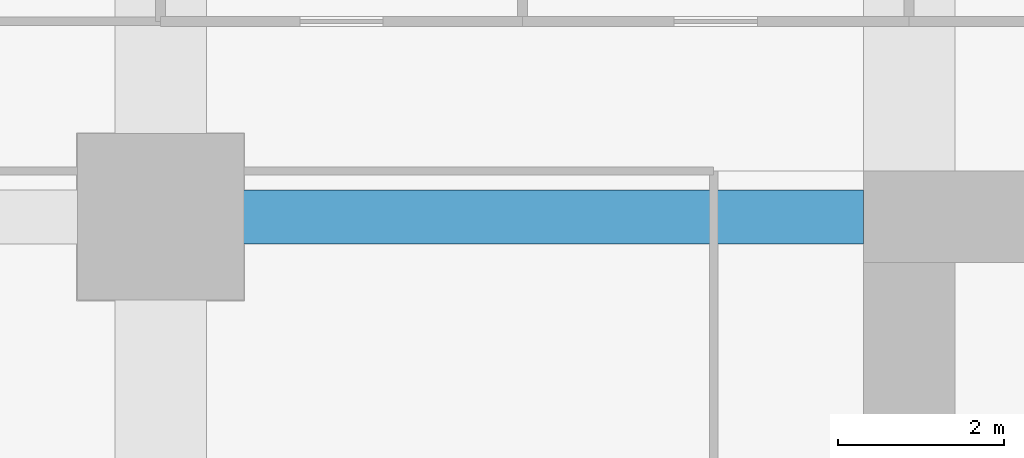
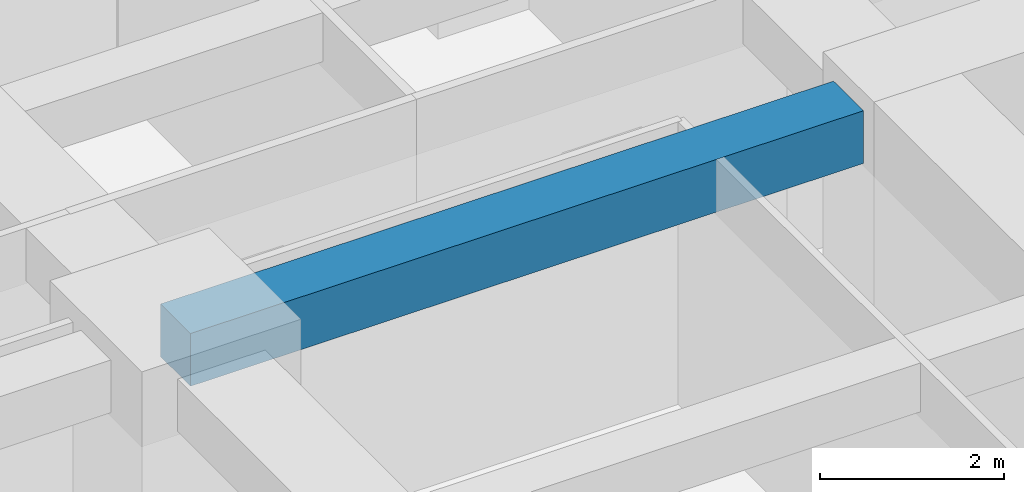
# One storey, part 25 of 41: 1 beam.
"""IFC4 building model written with IfcOpenShell, lengths in metres."""

from ifc_helpers import new_model, si_unit, direction, frame, origin, origin_2d, place, context, subcontext, project, spatial, rectangle, extrude, material, material_profile, profile_set, type_object, element, save


model = new_model("IFC4")

# Units and contexts
model_context = context("Model", 3, precision=1e-05, world=origin(), true_north=direction((0.0, 1.0)))
body_context = subcontext(model_context, "Body", "Model", "MODEL_VIEW")
ifc_project = project(units=[si_unit("LENGTHUNIT", "METRE"), si_unit("AREAUNIT", "SQUARE_METRE"), si_unit("VOLUMEUNIT", "CUBIC_METRE"), si_unit("PLANEANGLEUNIT", "RADIAN"), si_unit("MASSUNIT", "GRAM", prefix="KILO")], contexts=[model_context])

# Site, building, storey
site_placement = place(None, origin())
site = spatial("IfcSite", under=ifc_project, at=site_placement, CompositionType="ELEMENT")
building_placement = place(site_placement, origin())
building = spatial("IfcBuilding", under=site, at=building_placement, Name="Zorevar Civic Tower", CompositionType="ELEMENT")
storey_placement = place(building_placement, frame((0.0, 0.0, 113.0)))
storey = spatial("IfcBuildingStorey", under=building, at=storey_placement, Name="L27", CompositionType="ELEMENT", Elevation=113.0)

# Beam
ifc_material = material(Name="Concrete C50/60", Category="concrete")
ifc_material_profile = material_profile(ifc_material, rectangle(XDim=0.64990234375, YDim=0.699951171875, at=origin_2d()), Name="RC 650x700")
ifc_profile_set = profile_set([ifc_material_profile], Name="Concrete C50/60")
beam_type = type_object("IfcBeamType", Name="Beam RC 650x700", PredefinedType="BEAM", material=ifc_profile_set)
beam_placement = place(storey_placement, frame((9.0, 36.0, 3.39990234375), z_axis=(1.0, 0.0, 0.0), x_axis=(0.0, 1.0, 0.0)))
element("IfcBeam", 1, at=beam_placement, inside=storey, type_object=beam_type, Name="Girder L28", PredefinedType="BEAM", context=body_context, shape_type="SweptSolid", body=[
    extrude(rectangle(XDim=0.64990234375, YDim=0.699951171875, at=origin_2d()), origin(), (0.0, 0.0, 1.0), 8.449951171875),
])

save(model, "model.ifc")
